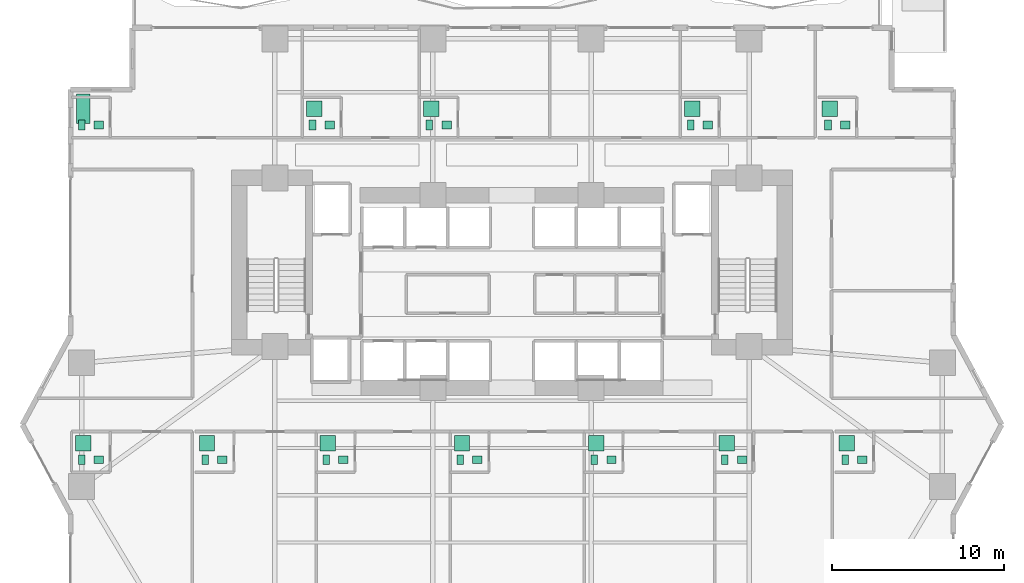
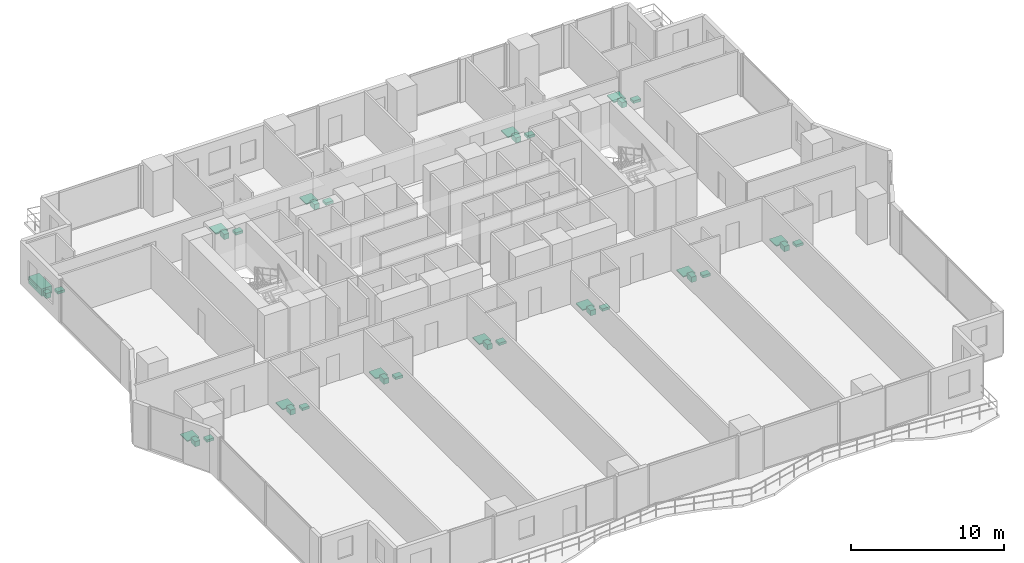
# One storey, part 28 of 28: 36 sanitary terminals.
"""IFC4 building model written with IfcOpenShell, lengths in metres."""

from ifc_helpers import new_model, si_unit, direction, frame, origin, origin_2d, place, context, subcontext, project, spatial, rectangle, extrude, material, type_object, element, save


model = new_model("IFC4")

# Units and contexts
model_context = context("Model", 3, precision=1e-05, world=origin(), true_north=direction((0.0, 1.0)))
body_context = subcontext(model_context, "Body", "Model", "MODEL_VIEW")
ifc_project = project(units=[si_unit("LENGTHUNIT", "METRE"), si_unit("AREAUNIT", "SQUARE_METRE"), si_unit("VOLUMEUNIT", "CUBIC_METRE"), si_unit("PLANEANGLEUNIT", "RADIAN"), si_unit("MASSUNIT", "GRAM", prefix="KILO")], contexts=[model_context])

# Site, building, storey
site_placement = place(None, origin())
site = spatial("IfcSite", under=ifc_project, at=site_placement, CompositionType="ELEMENT")
building_placement = place(site_placement, origin())
building = spatial("IfcBuilding", under=site, at=building_placement, Name="Zuhayl Quay Hotel", CompositionType="ELEMENT")
storey_placement = place(building_placement, frame((0.0, 0.0, 53.14990234375)))
storey = spatial("IfcBuildingStorey", under=building, at=storey_placement, Name="L12", CompositionType="ELEMENT", Elevation=53.14990234375)

# Sanitary terminals
ifc_material = material(Name="Vitreous Porcelain Sanitaryware")
sanitary_terminal_type_1 = type_object("IfcSanitaryTerminalType", Name="SAN_BASIN", PredefinedType="WASHHANDBASIN", material=ifc_material)
for number, where, z_axis, x_axis, name in (
    (1, (-24.050048828125, 17.43994140625, 0.0), (0.0, 0.0, 1.0), (1.0, 0.0, 0.0), "L12 Sanitary Fixture WASHHANDBASIN"),
    (2, (-10.610107421875, 17.43994140625, 0.0), (0.0, 0.0, 1.0), (1.0, 0.0, 0.0), "L12 Sanitary Fixture WASHHANDBASIN"),
    (3, (-3.81005859375, 17.43994140625, 0.0), (0.0, 0.0, 1.0), (1.0, 0.0, 0.0), "L12 Sanitary Fixture WASHHANDBASIN"),
    (4, (11.389892578125, 17.43994140625, 0.0), (0.0, 0.0, 1.0), (1.0, 0.0, 0.0), "L12 Sanitary Fixture WASHHANDBASIN"),
    (5, (19.389892578125, 17.43994140625, 0.0), (0.0, 0.0, 1.0), (1.0, 0.0, 0.0), "L12 Sanitary Fixture WASHHANDBASIN"),
    (6, (-24.050048828125, -2.0400390625, 0.0), (0.0, 0.0, 1.0), (1.0, 0.0, 0.0), "L12 Sanitary Fixture WASHHANDBASIN"),
    (7, (-16.85009765625, -2.0400390625, 0.0), (0.0, 0.0, 1.0), (1.0, 0.0, 0.0), "L12 Sanitary Fixture WASHHANDBASIN"),
    (8, (-9.81005859375, -2.0400390625, 0.0), (0.0, 0.0, 1.0), (1.0, 0.0, 0.0), "L12 Sanitary Fixture WASHHANDBASIN"),
    (9, (-2.010009765625, -2.0400390625, 0.0), (0.0, 0.0, 1.0), (1.0, 0.0, 0.0), "L12 Sanitary Fixture WASHHANDBASIN"),
    (10, (5.7900390625, -2.0400390625, 0.0), (0.0, 0.0, 1.0), (1.0, 0.0, 0.0), "L12 Sanitary Fixture WASHHANDBASIN"),
    (11, (13.389892578125, -2.0400390625, 0.0), (0.0, 0.0, 1.0), (1.0, 0.0, 0.0), "L12 Sanitary Fixture WASHHANDBASIN"),
    (12, (20.389892578125, -2.0400390625, 0.0), (0.0, 0.0, 1.0), (1.0, 0.0, 0.0), "L12 Sanitary Fixture WASHHANDBASIN"),
):
    element("IfcSanitaryTerminal", number, at=place(storey_placement, frame(where, z_axis=z_axis, x_axis=x_axis)), inside=storey, type_object=sanitary_terminal_type_1, Name=name, PredefinedType="WASHHANDBASIN", context=body_context, shape_type="SweptSolid", body=[
        extrude(rectangle(XDim=0.550048828125, YDim=0.449951171875, at=origin_2d()), origin(), (0.0, 0.0, 1.0), 0.199951171875),
    ])
sanitary_terminal_type_2 = type_object("IfcSanitaryTerminalType", Name="SAN_BATH", PredefinedType="BATH", material=ifc_material)
sanitary_terminal_placement = place(storey_placement, frame((-24.949951171875, 18.389892578125, 0.0), z_axis=(0.0, 0.0, 1.0), x_axis=(1.0, 0.0, 0.0)))
element("IfcSanitaryTerminal", 13, at=sanitary_terminal_placement, inside=storey, type_object=sanitary_terminal_type_2, Name="L12 Sanitary Fixture BATH", PredefinedType="BATH", context=body_context, shape_type="SweptSolid", body=[
    extrude(rectangle(XDim=0.800048828125, YDim=1.699951171875, at=origin_2d()), origin(), (0.0, 0.0, 1.0), 0.580078125),
])
sanitary_terminal_type_3 = type_object("IfcSanitaryTerminalType", Name="SAN_SHOWER", PredefinedType="SHOWER", material=ifc_material)
for number, where, z_axis, x_axis, name in (
    (14, (-11.510009765625, 18.389892578125, 0.0), (0.0, 0.0, 1.0), (1.0, 0.0, 0.0), "L12 Sanitary Fixture SHOWER"),
    (15, (-4.7099609375, 18.389892578125, 0.0), (0.0, 0.0, 1.0), (1.0, 0.0, 0.0), "L12 Sanitary Fixture SHOWER"),
    (16, (10.489990234375, 18.389892578125, 0.0), (0.0, 0.0, 1.0), (1.0, 0.0, 0.0), "L12 Sanitary Fixture SHOWER"),
    (17, (18.489990234375, 18.389892578125, 0.0), (0.0, 0.0, 1.0), (1.0, 0.0, 0.0), "L12 Sanitary Fixture SHOWER"),
    (18, (-24.949951171875, -1.090087890625, 0.0), (0.0, 0.0, 1.0), (1.0, 0.0, 0.0), "L12 Sanitary Fixture SHOWER"),
    (19, (-17.75, -1.090087890625, 0.0), (0.0, 0.0, 1.0), (1.0, 0.0, 0.0), "L12 Sanitary Fixture SHOWER"),
    (20, (-10.7099609375, -1.090087890625, 0.0), (0.0, 0.0, 1.0), (1.0, 0.0, 0.0), "L12 Sanitary Fixture SHOWER"),
    (21, (-2.909912109375, -1.090087890625, 0.0), (0.0, 0.0, 1.0), (1.0, 0.0, 0.0), "L12 Sanitary Fixture SHOWER"),
    (22, (4.889892578125, -1.090087890625, 0.0), (0.0, 0.0, 1.0), (1.0, 0.0, 0.0), "L12 Sanitary Fixture SHOWER"),
    (23, (12.489990234375, -1.090087890625, 0.0), (0.0, 0.0, 1.0), (1.0, 0.0, 0.0), "L12 Sanitary Fixture SHOWER"),
    (24, (19.489990234375, -1.090087890625, 0.0), (0.0, 0.0, 1.0), (1.0, 0.0, 0.0), "L12 Sanitary Fixture SHOWER"),
):
    element("IfcSanitaryTerminal", number, at=place(storey_placement, frame(where, z_axis=z_axis, x_axis=x_axis)), inside=storey, type_object=sanitary_terminal_type_3, Name=name, PredefinedType="SHOWER", context=body_context, shape_type="SweptSolid", body=[
        extrude(rectangle(XDim=0.89990234375, YDim=0.89990234375, at=origin_2d()), origin(), (0.0, 0.0, 1.0), 0.080078125),
    ])
sanitary_terminal_type_4 = type_object("IfcSanitaryTerminalType", Name="SAN_WC", PredefinedType="TOILETPAN", material=ifc_material)
for number, where, z_axis, x_axis, name in (
    (25, (-25.050048828125, 17.43994140625, 0.000244140625), (0.0, 0.0, 1.0), (1.0, 0.0, 0.0), "L12 Sanitary Fixture TOILETPAN"),
    (26, (-11.610107421875, 17.43994140625, 0.000244140625), (0.0, 0.0, 1.0), (1.0, 0.0, 0.0), "L12 Sanitary Fixture TOILETPAN"),
    (27, (-4.81005859375, 17.43994140625, 0.000244140625), (0.0, 0.0, 1.0), (1.0, 0.0, 0.0), "L12 Sanitary Fixture TOILETPAN"),
    (28, (10.389892578125, 17.43994140625, 0.000244140625), (0.0, 0.0, 1.0), (1.0, 0.0, 0.0), "L12 Sanitary Fixture TOILETPAN"),
    (29, (18.389892578125, 17.43994140625, 0.000244140625), (0.0, 0.0, 1.0), (1.0, 0.0, 0.0), "L12 Sanitary Fixture TOILETPAN"),
    (30, (-25.050048828125, -2.0400390625, 0.000244140625), (0.0, 0.0, 1.0), (1.0, 0.0, 0.0), "L12 Sanitary Fixture TOILETPAN"),
    (31, (-17.85009765625, -2.0400390625, 0.000244140625), (0.0, 0.0, 1.0), (1.0, 0.0, 0.0), "L12 Sanitary Fixture TOILETPAN"),
    (32, (-10.81005859375, -2.0400390625, 0.000244140625), (0.0, 0.0, 1.0), (1.0, 0.0, 0.0), "L12 Sanitary Fixture TOILETPAN"),
    (33, (-3.010009765625, -2.0400390625, 0.000244140625), (0.0, 0.0, 1.0), (1.0, 0.0, 0.0), "L12 Sanitary Fixture TOILETPAN"),
    (34, (4.7900390625, -2.0400390625, 0.000244140625), (0.0, 0.0, 1.0), (1.0, 0.0, 0.0), "L12 Sanitary Fixture TOILETPAN"),
    (35, (12.389892578125, -2.0400390625, 0.000244140625), (0.0, 0.0, 1.0), (1.0, 0.0, 0.0), "L12 Sanitary Fixture TOILETPAN"),
    (36, (19.389892578125, -2.0400390625, 0.000244140625), (0.0, 0.0, 1.0), (1.0, 0.0, 0.0), "L12 Sanitary Fixture TOILETPAN"),
):
    element("IfcSanitaryTerminal", number, at=place(storey_placement, frame(where, z_axis=z_axis, x_axis=x_axis)), inside=storey, type_object=sanitary_terminal_type_4, Name=name, PredefinedType="TOILETPAN", context=body_context, shape_type="SweptSolid", body=[
        extrude(rectangle(XDim=0.3798828125, YDim=0.56005859375, at=origin_2d()), origin(), (0.0, 0.0, 1.0), 0.419921875),
    ])

save(model, "model.ifc")
